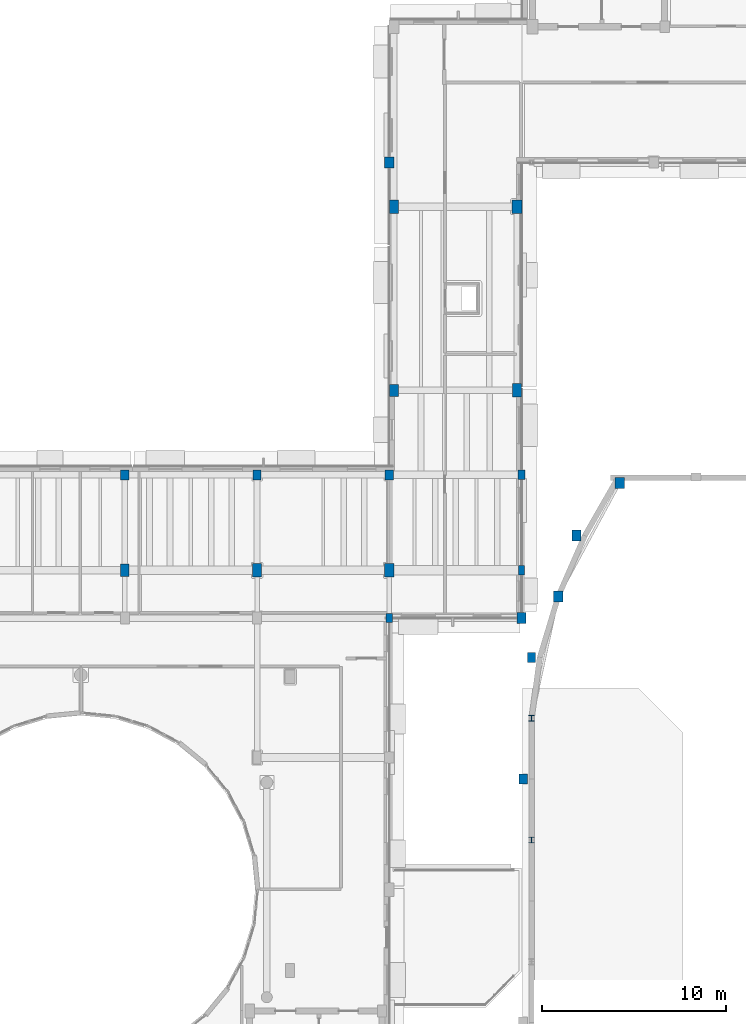
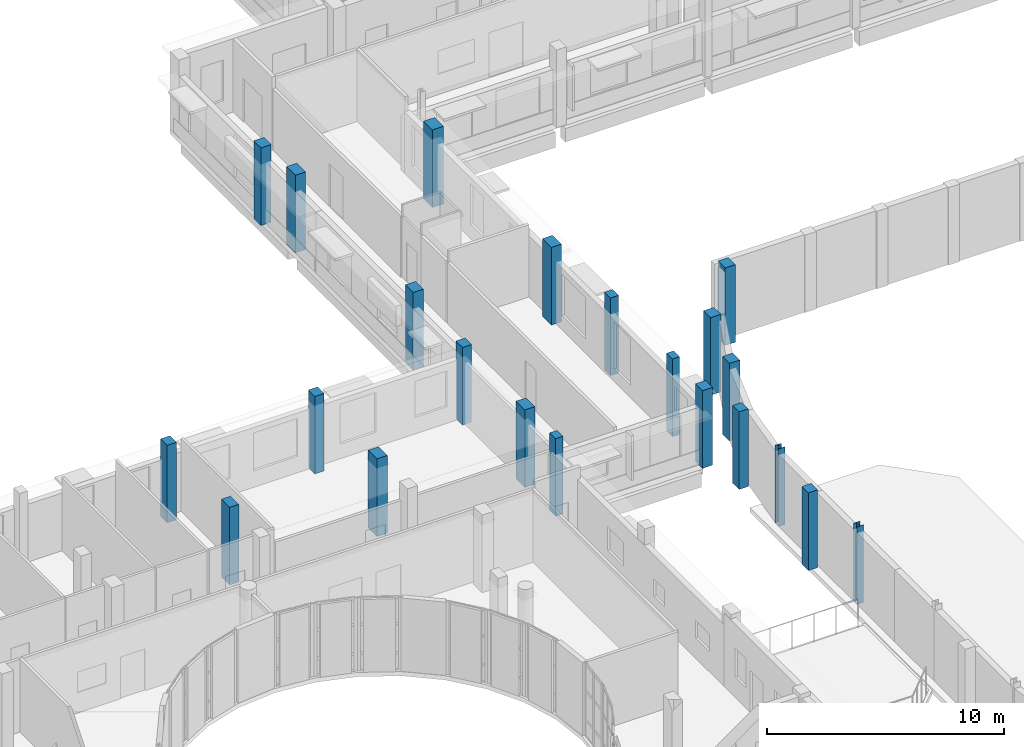
# One storey, part 10 of 89: 22 columns.
"""IFC4 building model written with IfcOpenShell, lengths in metres."""

from ifc_helpers import new_model, si_unit, direction, frame, origin, origin_2d, place, context, subcontext, project, spatial, rectangle, i_section, extrude, material, material_profile, profile_set, type_object, element, save


model = new_model("IFC4")

# Units and contexts
model_context = context("Model", 3, precision=1e-05, world=origin(), true_north=direction((0.0, 1.0)))
body_context = subcontext(model_context, "Body", "Model", "MODEL_VIEW")
ifc_project = project(units=[si_unit("LENGTHUNIT", "METRE"), si_unit("AREAUNIT", "SQUARE_METRE"), si_unit("VOLUMEUNIT", "CUBIC_METRE"), si_unit("PLANEANGLEUNIT", "RADIAN"), si_unit("MASSUNIT", "GRAM", prefix="KILO")], contexts=[model_context])

# Site, building, storey
site_placement = place(None, origin())
site = spatial("IfcSite", under=ifc_project, at=site_placement, CompositionType="ELEMENT")
building_placement = place(site_placement, origin())
building = spatial("IfcBuilding", under=site, at=building_placement, Name="Kelanivale Promenade Academy", CompositionType="ELEMENT")
storey_placement = place(building_placement, frame((0.0, 0.0, 12.199951171875)))
storey = spatial("IfcBuildingStorey", under=building, at=storey_placement, Name="L03", CompositionType="ELEMENT", Elevation=12.199951171875)

# Columns
ifc_material_1 = material(Name="Concrete C40/50", Category="concrete")
ifc_material_profile_1 = material_profile(ifc_material_1, rectangle(XDim=0.449951171875, YDim=0.699951171875, at=origin_2d()), Name="RC-COL 450x700")
ifc_profile_set_1 = profile_set([ifc_material_profile_1], Name="Concrete C40/50")
column_type_1 = type_object("IfcColumnType", Name="C-10 RC-COL 450x700", PredefinedType="COLUMN", material=ifc_profile_set_1)
column_1_placement = place(storey_placement, frame((101.199951171875, 74.199951171875, 0.0), z_axis=(0.0, 0.0, 1.0), x_axis=(1.0, 0.0, 0.0)))
element("IfcColumn", 1, at=column_1_placement, inside=storey, type_object=column_type_1, Name="Column C-10 at (101.2, 74.2) L03", PredefinedType="COLUMN", context=body_context, shape_type="SweptSolid", body=[
    extrude(rectangle(XDim=0.449951171875, YDim=0.699951171875, at=origin_2d()), origin(), (0.0, 0.0, 1.0), 4.0),
])
ifc_material_profile_2 = material_profile(ifc_material_1, rectangle(XDim=0.5, YDim=0.64990234375, at=origin_2d()), Name="RC-COL 500x650")
ifc_profile_set_2 = profile_set([ifc_material_profile_2], Name="Concrete C40/50")
column_type_2 = type_object("IfcColumnType", Name="C-11 RC-COL 500x650", PredefinedType="COLUMN", material=ifc_profile_set_2)
column_2_placement = place(storey_placement, frame((115.85009765625, 84.0, 0.0), z_axis=(0.0, 0.0, 1.0), x_axis=(1.0, 0.0, 0.0)))
element("IfcColumn", 2, at=column_2_placement, inside=storey, type_object=column_type_2, Name="Column C-11 at (115.8, 84.0) L03", PredefinedType="COLUMN", context=body_context, shape_type="SweptSolid", body=[
    extrude(rectangle(XDim=0.5, YDim=0.64990234375, at=origin_2d()), origin(), (0.0, 0.0, 1.0), 4.0),
])
ifc_material_profile_3 = material_profile(ifc_material_1, rectangle(XDim=0.5, YDim=0.75, at=origin_2d()), Name="RC-COL 500x750")
ifc_profile_set_3 = profile_set([ifc_material_profile_3], Name="Concrete C40/50")
column_type_3 = type_object("IfcColumnType", Name="C-12 RC-COL 500x750", PredefinedType="COLUMN", material=ifc_profile_set_3)
for number, where, z_axis, x_axis, name in (
    (3, (108.39990234375, 74.199951171875, 0.0), (0.0, 0.0, 1.0), (1.0, 0.0, 0.0), "Column C-12 at (108.4, 74.2) L03"),
    (4, (115.60009765625, 74.199951171875, 0.0), (0.0, 0.0, 1.0), (1.0, 0.0, 0.0), "Column C-12 at (115.6, 74.2) L03"),
    (5, (115.85009765625, 94.0, 0.0), (0.0, 0.0, 1.0), (1.0, 0.0, 0.0), "Column C-12 at (115.8, 94.0) L03"),
    (6, (122.550048828125, 84.0, 0.0), (0.0, 0.0, 1.0), (1.0, 0.0, 0.0), "Column C-12 at (122.5, 84.0) L03"),
):
    element("IfcColumn", number, at=place(storey_placement, frame(where, z_axis=z_axis, x_axis=x_axis)), inside=storey, type_object=column_type_3, Name=name, PredefinedType="COLUMN", context=body_context, shape_type="SweptSolid", body=[
        extrude(rectangle(XDim=0.5, YDim=0.75, at=origin_2d()), origin(), (0.0, 0.0, 1.0), 4.0),
    ])
ifc_material_profile_4 = material_profile(ifc_material_1, rectangle(XDim=0.550048828125, YDim=0.75, at=origin_2d()), Name="RC-COL 550x750")
ifc_profile_set_4 = profile_set([ifc_material_profile_4], Name="Concrete C40/50")
column_type_4 = type_object("IfcColumnType", Name="C-13 RC-COL 550x750", PredefinedType="COLUMN", material=ifc_profile_set_4)
column_3_placement = place(storey_placement, frame((122.550048828125, 94.0, 0.0), z_axis=(0.0, 0.0, 1.0), x_axis=(1.0, 0.0, 0.0)))
element("IfcColumn", 7, at=column_3_placement, inside=storey, type_object=column_type_4, Name="Column C-13 at (122.5, 94.0) L03", PredefinedType="COLUMN", context=body_context, shape_type="SweptSolid", body=[
    extrude(rectangle(XDim=0.550048828125, YDim=0.75, at=origin_2d()), origin(), (0.0, 0.0, 1.0), 4.0),
])
ifc_material_profile_5 = material_profile(ifc_material_1, rectangle(XDim=0.35009765625, YDim=0.5, at=origin_2d()), Name="RC-PIL 350x500")
ifc_profile_set_5 = profile_set([ifc_material_profile_5], Name="Concrete C40/50")
column_type_5 = type_object("IfcColumnType", Name="PL-15 RC-PIL 350x500", PredefinedType="PILASTER", material=ifc_profile_set_5)
for number, where, z_axis, x_axis, name in (
    (8, (115.60009765625, 71.60009765625, 0.0), (0.0, 0.0, 1.0), (1.0, 0.0, 0.0), "Column PL-15 at (115.6, 71.6) L03"),
    (9, (122.800048828125, 74.199951171875, 0.0), (0.0, 0.0, 1.0), (1.0, 0.0, 0.0), "Column PL-15 at (122.8, 74.2) L03"),
):
    element("IfcColumn", number, at=place(storey_placement, frame(where, z_axis=z_axis, x_axis=x_axis)), inside=storey, type_object=column_type_5, Name=name, PredefinedType="PILASTER", context=body_context, shape_type="SweptSolid", body=[
        extrude(rectangle(XDim=0.35009765625, YDim=0.5, at=origin_2d()), origin(), (0.0, 0.0, 1.0), 4.0),
    ])
ifc_material_profile_6 = material_profile(ifc_material_1, rectangle(XDim=0.39990234375, YDim=0.5, at=origin_2d()), Name="RC-PIL 400x500")
ifc_profile_set_6 = profile_set([ifc_material_profile_6], Name="Concrete C40/50")
column_type_6 = type_object("IfcColumnType", Name="PL-16 RC-PIL 400x500", PredefinedType="PILASTER", material=ifc_profile_set_6)
column_4_placement = place(storey_placement, frame((122.800048828125, 79.39990234375, 0.0), z_axis=(0.0, 0.0, 1.0), x_axis=(1.0, 0.0, 0.0)))
element("IfcColumn", 10, at=column_4_placement, inside=storey, type_object=column_type_6, Name="Column PL-16 at (122.8, 79.4) L03", PredefinedType="PILASTER", context=body_context, shape_type="SweptSolid", body=[
    extrude(rectangle(XDim=0.39990234375, YDim=0.5, at=origin_2d()), origin(), (0.0, 0.0, 1.0), 4.0),
])
ifc_material_profile_7 = material_profile(ifc_material_1, rectangle(XDim=0.449951171875, YDim=0.550048828125, at=origin_2d()), Name="RC-PIL 450x550")
ifc_profile_set_7 = profile_set([ifc_material_profile_7], Name="Concrete C40/50")
column_type_7 = type_object("IfcColumnType", Name="PL-17 RC-PIL 450x550", PredefinedType="PILASTER", material=ifc_profile_set_7)
for number, where, z_axis, x_axis, name in (
    (11, (101.199951171875, 79.39990234375, 0.0), (0.0, 0.0, 1.0), (1.0, 0.0, 0.0), "Column PL-17 at (101.2, 79.4) L03"),
    (12, (108.39990234375, 79.39990234375, 0.0), (0.0, 0.0, 1.0), (1.0, 0.0, 0.0), "Column PL-17 at (108.4, 79.4) L03"),
    (13, (115.60009765625, 79.39990234375, 0.0), (0.0, 0.0, 1.0), (1.0, 0.0, 0.0), "Column PL-17 at (115.6, 79.4) L03"),
    (14, (122.889892578125, 62.8291015625, 0.0), (0.0, 0.0, 1.0), (1.0, 0.0, 0.0), "Column PL-17 at (122.9, 62.8) L03"),
    (15, (123.340087890625, 69.45703125, 0.0), (0.0, 0.0, 1.0), (1.0, 0.0, 0.0), "Column PL-17 at (123.3, 69.5) L03"),
):
    element("IfcColumn", number, at=place(storey_placement, frame(where, z_axis=z_axis, x_axis=x_axis)), inside=storey, type_object=column_type_7, Name=name, PredefinedType="PILASTER", context=body_context, shape_type="SweptSolid", body=[
        extrude(rectangle(XDim=0.449951171875, YDim=0.550048828125, at=origin_2d()), origin(), (0.0, 0.0, 1.0), 4.0),
    ])
ifc_material_profile_8 = material_profile(ifc_material_1, rectangle(XDim=0.5, YDim=0.60009765625, at=origin_2d()), Name="RC-PIL 500x600")
ifc_profile_set_8 = profile_set([ifc_material_profile_8], Name="Concrete C40/50")
column_type_8 = type_object("IfcColumnType", Name="PL-18 RC-PIL 500x600", PredefinedType="PILASTER", material=ifc_profile_set_8)
for number, where, z_axis, x_axis, name in (
    (16, (115.60009765625, 96.39990234375, 0.0), (0.0, 0.0, 1.0), (1.0, 0.0, 0.0), "Column PL-18 at (115.6, 96.4) L03"),
    (17, (122.800048828125, 71.60009765625, 0.0), (0.0, 0.0, 1.0), (1.0, 0.0, 0.0), "Column PL-18 at (122.8, 71.6) L03"),
    (18, (124.800048828125, 72.77099609375, 0.0), (0.0, 0.0, 1.0), (1.0, 0.0, 0.0), "Column PL-18 at (124.8, 72.8) L03"),
    (19, (125.7900390625, 76.0859375, 0.0), (0.0, 0.0, 1.0), (1.0, 0.0, 0.0), "Column PL-18 at (125.8, 76.1) L03"),
    (20, (128.14990234375, 78.949951171875, 0.0), (0.0, 0.0, 1.0), (1.0, 0.0, 0.0), "Column PL-18 at (128.2, 79.0) L03"),
):
    element("IfcColumn", number, at=place(storey_placement, frame(where, z_axis=z_axis, x_axis=x_axis)), inside=storey, type_object=column_type_8, Name=name, PredefinedType="PILASTER", context=body_context, shape_type="SweptSolid", body=[
        extrude(rectangle(XDim=0.5, YDim=0.60009765625, at=origin_2d()), origin(), (0.0, 0.0, 1.0), 4.0),
    ])
ifc_material_2 = material(Name="Steel S355", Category="steel")
ifc_material_profile_9 = material_profile(ifc_material_2, i_section(OverallWidth=0.307373046875, OverallDepth=0.314453125, WebThickness=0.011962890625, FlangeThickness=0.018798828125, FilletRadius=0.01513671875, at=origin_2d()), Name="UC 305x305x118")
ifc_profile_set_9 = profile_set([ifc_material_profile_9], Name="Steel S355")
column_type_9 = type_object("IfcColumnType", Name="SC-04 UC 305x305x118", PredefinedType="COLUMN", material=ifc_profile_set_9)
for number, where, z_axis, x_axis, name in (
    (21, (123.35009765625, 59.513916015625, 0.0), (0.0, 0.0, 1.0), (1.0, 0.0, 0.0), "Column SC-04 at (123.3, 59.5) L03"),
    (22, (123.35009765625, 66.14306640625, 0.0), (0.0, 0.0, 1.0), (1.0, 0.0, 0.0), "Column SC-04 at (123.3, 66.1) L03"),
):
    element("IfcColumn", number, at=place(storey_placement, frame(where, z_axis=z_axis, x_axis=x_axis)), inside=storey, type_object=column_type_9, Name=name, PredefinedType="COLUMN", context=body_context, shape_type="SweptSolid", body=[
        extrude(i_section(OverallWidth=0.307373046875, OverallDepth=0.314453125, WebThickness=0.011962890625, FlangeThickness=0.018798828125, FilletRadius=0.01513671875, at=origin_2d()), origin(), (0.0, 0.0, 1.0), 4.0),
    ])

save(model, "model.ifc")
